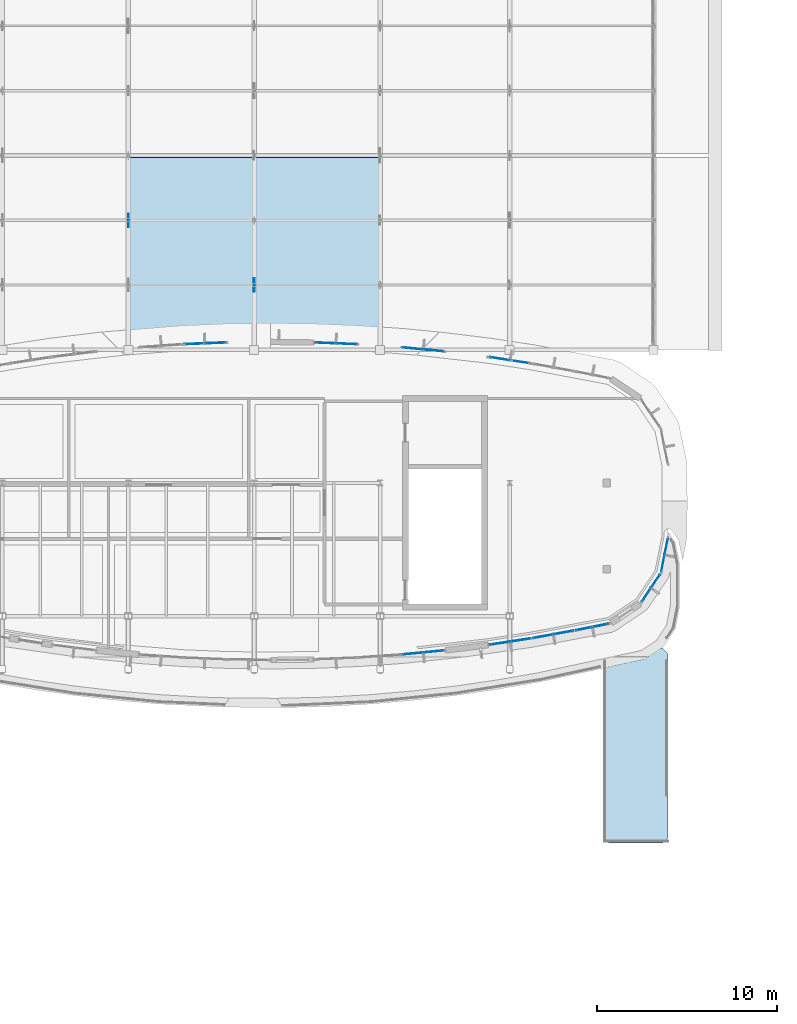
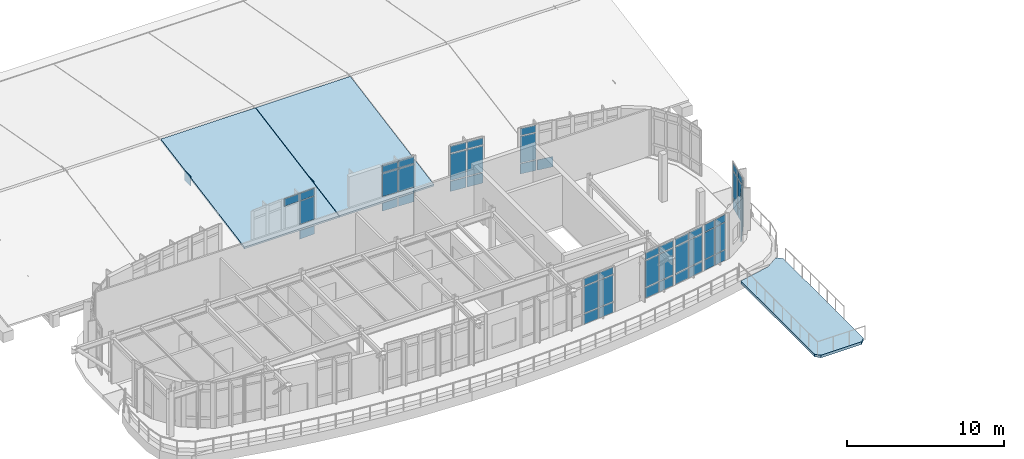
# One storey, part 68 of 105: 58 plates, 3 slabs, 10 elements without a shape of their own.
"""IFC4 building model written with IfcOpenShell, lengths in metres."""

from ifc_helpers import new_model, si_unit, direction, frame, origin, origin_2d, place, context, subcontext, project, spatial, polyline, rectangle, outline, extrude, material, layer, layer_set, type_object, element, aggregate, save


model = new_model("IFC4")

# Units and contexts
model_context = context("Model", 3, precision=1e-05, world=origin(), true_north=direction((0.0, 1.0)))
body_context = subcontext(model_context, "Body", "Model", "MODEL_VIEW")
ifc_project = project(units=[si_unit("LENGTHUNIT", "METRE"), si_unit("AREAUNIT", "SQUARE_METRE"), si_unit("VOLUMEUNIT", "CUBIC_METRE"), si_unit("PLANEANGLEUNIT", "RADIAN"), si_unit("MASSUNIT", "GRAM", prefix="KILO")], contexts=[model_context])

# Site, building, storey
site_placement = place(None, origin())
site = spatial("IfcSite", under=ifc_project, at=site_placement, CompositionType="ELEMENT")
building_placement = place(site_placement, origin())
building = spatial("IfcBuilding", under=site, at=building_placement, Name="Corveleigh Park Community Centre", CompositionType="ELEMENT")
storey_placement = place(building_placement, frame((0.0, 0.0, 8.699951171875)))
storey = spatial("IfcBuildingStorey", under=building, at=storey_placement, Name="L02", CompositionType="ELEMENT", Elevation=8.699951171875)

# Curtain wall, plates
ifc_material_1 = material(Name="Anodised aluminium 6063-T6", Category="aluminium")
curtain_wall_type = type_object("IfcCurtainWallType", Name="CW-SYS-V2-HALL", PredefinedType="NOTDEFINED", material=ifc_material_1)
curtain_wall_1_placement = place(storey_placement, origin())
curtain_wall_1 = element("IfcCurtainWall", 1, at=curtain_wall_1_placement, inside=storey, type_object=curtain_wall_type, Name="V2 L02 Curtain Wall 313", PredefinedType="NOTDEFINED")
ifc_material_2 = material(Name="Low-E double glazing", Category="glass")
ifc_layer_1 = layer(ifc_material_2, 0.02392578125, Name="Low-E double glazing", Category="glass")
ifc_layer_set_1 = layer_set([ifc_layer_1], Name="Low-E double glazing")
plate_type_1 = type_object("IfcPlateType", Name="CWP-GLZ-24", PredefinedType="CURTAIN_PANEL", material=ifc_layer_set_1)
plate_1_placement = place(storey_placement, frame((55.096923828125, 81.8662109375, 0.070068359375), z_axis=(0.0, 0.0, 1.0), x_axis=(-0.195033154312, -0.980796650035, 0.0)))
plate_1 = element("IfcPlate", 2, at=plate_1_placement, type_object=plate_type_1, Name="CW04 panel 1.1", PredefinedType="CURTAIN_PANEL", context=body_context, shape_type="SweptSolid", body=[
    extrude(rectangle(XDim=0.88671875, YDim=0.02392578125, at=origin_2d()), origin(), (0.0, 0.0, 1.0), 0.794921875),
])
plate_2_placement = place(storey_placement, frame((55.096923828125, 81.8662109375, 0.93505859375), z_axis=(0.0, 0.0, 1.0), x_axis=(-0.195033154312, -0.980796650035, 0.0)))
plate_2 = element("IfcPlate", 3, at=plate_2_placement, type_object=plate_type_1, Name="CW04 panel 1.2", PredefinedType="CURTAIN_PANEL", context=body_context, shape_type="SweptSolid", body=[
    extrude(rectangle(XDim=0.88671875, YDim=0.02392578125, at=origin_2d()), origin(), (0.0, 0.0, 1.0), 2.06005859375),
])
plate_3_placement = place(storey_placement, frame((55.096923828125, 81.8662109375, 3.065185546875), z_axis=(0.0, 0.0, 1.0), x_axis=(-0.195033154312, -0.980796650035, 0.0)))
plate_3 = element("IfcPlate", 4, at=plate_3_placement, type_object=plate_type_1, Name="CW04 panel 1.3", PredefinedType="CURTAIN_PANEL", context=body_context, shape_type="SweptSolid", body=[
    extrude(rectangle(XDim=0.88671875, YDim=0.02392578125, at=origin_2d()), origin(), (0.0, 0.0, 1.0), 0.544921875),
])
plate_4_placement = place(storey_placement, frame((54.912109375, 80.937744140625, 0.070068359375), z_axis=(0.0, 0.0, 1.0), x_axis=(-0.195033154312, -0.980796650035, 0.0)))
plate_4 = element("IfcPlate", 5, at=plate_4_placement, type_object=plate_type_1, Name="CW04 panel 2.1", PredefinedType="CURTAIN_PANEL", context=body_context, shape_type="SweptSolid", body=[
    extrude(rectangle(XDim=0.88671875, YDim=0.02392578125, at=origin_2d()), origin(), (0.0, 0.0, 1.0), 0.794921875),
])
plate_5_placement = place(storey_placement, frame((54.912109375, 80.937744140625, 0.93505859375), z_axis=(0.0, 0.0, 1.0), x_axis=(-0.195033154312, -0.980796650035, 0.0)))
plate_5 = element("IfcPlate", 6, at=plate_5_placement, type_object=plate_type_1, Name="CW04 panel 2.2", PredefinedType="CURTAIN_PANEL", context=body_context, shape_type="SweptSolid", body=[
    extrude(rectangle(XDim=0.88671875, YDim=0.02392578125, at=origin_2d()), origin(), (0.0, 0.0, 1.0), 2.06005859375),
])
plate_6_placement = place(storey_placement, frame((54.912109375, 80.937744140625, 3.065185546875), z_axis=(0.0, 0.0, 1.0), x_axis=(-0.195033154312, -0.980796650035, 0.0)))
plate_6 = element("IfcPlate", 7, at=plate_6_placement, type_object=plate_type_1, Name="CW04 panel 2.3", PredefinedType="CURTAIN_PANEL", context=body_context, shape_type="SweptSolid", body=[
    extrude(rectangle(XDim=0.88671875, YDim=0.02392578125, at=origin_2d()), origin(), (0.0, 0.0, 1.0), 0.544921875),
])
aggregate(curtain_wall_1, [plate_1, plate_2, plate_3, plate_4, plate_5, plate_6])

curtain_wall_2_placement = place(storey_placement, origin())
curtain_wall_2 = element("IfcCurtainWall", 8, at=curtain_wall_2_placement, inside=storey, type_object=curtain_wall_type, Name="V2 L02 Curtain Wall 318", PredefinedType="NOTDEFINED")
ifc_layer_2 = layer(ifc_material_2, 0.031982421875, Name="Low-E double glazing", Category="glass")
ifc_layer_set_2 = layer_set([ifc_layer_2], Name="Low-E double glazing")
plate_type_2 = type_object("IfcPlateType", Name="CWP-GLZ-32", PredefinedType="CURTAIN_PANEL", material=ifc_layer_set_2)
plate_7_placement = place(storey_placement, frame((45.84619140625, 92.306396484375, 0.070068359375), z_axis=(0.0, 0.0, 1.0), x_axis=(0.988429120967, -0.151683462597, 0.0)))
plate_7 = element("IfcPlate", 9, at=plate_7_placement, type_object=plate_type_2, Name="CW04 panel 1.1", PredefinedType="CURTAIN_PANEL", context=body_context, shape_type="SweptSolid", body=[
    extrude(rectangle(XDim=1.078857421875, YDim=0.031982421875, at=origin_2d()), origin(), (0.0, 0.0, 1.0), 0.794921875),
])
plate_8_placement = place(storey_placement, frame((45.84619140625, 92.306396484375, 0.93505859375), z_axis=(0.0, 0.0, 1.0), x_axis=(0.988429120967, -0.151683462597, 0.0)))
plate_8 = element("IfcPlate", 10, at=plate_8_placement, type_object=plate_type_2, Name="CW04 panel 1.2", PredefinedType="CURTAIN_PANEL", context=body_context, shape_type="SweptSolid", body=[
    extrude(rectangle(XDim=1.078857421875, YDim=0.031982421875, at=origin_2d()), origin(), (0.0, 0.0, 1.0), 2.06005859375),
])
plate_9_placement = place(storey_placement, frame((45.84619140625, 92.306396484375, 3.065185546875), z_axis=(0.0, 0.0, 1.0), x_axis=(0.988429120967, -0.151683462597, 0.0)))
plate_9 = element("IfcPlate", 11, at=plate_9_placement, type_object=plate_type_2, Name="CW04 panel 1.3", PredefinedType="CURTAIN_PANEL", context=body_context, shape_type="SweptSolid", body=[
    extrude(rectangle(XDim=1.078857421875, YDim=0.031982421875, at=origin_2d()), origin(), (0.0, 0.0, 1.0), 0.544921875),
])
plate_10_placement = place(storey_placement, frame((46.996826171875, 92.129638671875, 0.070068359375), z_axis=(0.0, 0.0, 1.0), x_axis=(0.988429120967, -0.151683462597, 0.0)))
plate_10 = element("IfcPlate", 12, at=plate_10_placement, type_object=plate_type_2, Name="CW04 panel 2.1", PredefinedType="CURTAIN_PANEL", context=body_context, shape_type="SweptSolid", body=[
    extrude(rectangle(XDim=1.078857421875, YDim=0.031982421875, at=origin_2d()), origin(), (0.0, 0.0, 1.0), 0.794921875),
])
aggregate(curtain_wall_2, [plate_7, plate_8, plate_9, plate_10])

curtain_wall_3_placement = place(storey_placement, origin())
curtain_wall_3 = element("IfcCurtainWall", 13, at=curtain_wall_3_placement, inside=storey, type_object=curtain_wall_type, Name="V2 L02 Curtain Wall 308", PredefinedType="NOTDEFINED")
ifc_layer_3 = layer(ifc_material_2, 0.035888671875, Name="Low-E double glazing", Category="glass")
ifc_layer_set_3 = layer_set([ifc_layer_3], Name="Low-E double glazing")
plate_type_3 = type_object("IfcPlateType", Name="CWP-GLZ-36", PredefinedType="CURTAIN_PANEL", material=ifc_layer_set_3)
plate_11_placement = place(storey_placement, frame((42.181396484375, 76.035400390625, 0.070068359375), z_axis=(0.0, 0.0, 1.0), x_axis=(-0.995367939004, -0.096138785108, 0.0)))
plate_11 = element("IfcPlate", 14, at=plate_11_placement, type_object=plate_type_3, Name="CW04 panel 1.1", PredefinedType="CURTAIN_PANEL", context=body_context, shape_type="SweptSolid", body=[
    extrude(rectangle(XDim=1.109130859375, YDim=0.035888671875, at=origin_2d()), origin(), (0.0, 0.0, 1.0), 0.794921875),
])
plate_12_placement = place(storey_placement, frame((42.181396484375, 76.035400390625, 0.93505859375), z_axis=(0.0, 0.0, 1.0), x_axis=(-0.995367939004, -0.096138785108, 0.0)))
plate_12 = element("IfcPlate", 15, at=plate_12_placement, type_object=plate_type_3, Name="CW04 panel 1.2", PredefinedType="CURTAIN_PANEL", context=body_context, shape_type="SweptSolid", body=[
    extrude(rectangle(XDim=1.109130859375, YDim=0.035888671875, at=origin_2d()), origin(), (0.0, 0.0, 1.0), 2.06005859375),
])
plate_13_placement = place(storey_placement, frame((42.181396484375, 76.035400390625, 3.065185546875), z_axis=(0.0, 0.0, 1.0), x_axis=(-0.995367939004, -0.096138785108, 0.0)))
plate_13 = element("IfcPlate", 16, at=plate_13_placement, type_object=plate_type_3, Name="CW04 panel 1.3", PredefinedType="CURTAIN_PANEL", context=body_context, shape_type="SweptSolid", body=[
    extrude(rectangle(XDim=1.109130859375, YDim=0.035888671875, at=origin_2d()), origin(), (0.0, 0.0, 1.0), 0.544921875),
])
plate_14_placement = place(storey_placement, frame((41.0126953125, 75.922607421875, 0.070068359375), z_axis=(0.0, 0.0, 1.0), x_axis=(-0.995367939004, -0.096138785108, 0.0)))
plate_14 = element("IfcPlate", 17, at=plate_14_placement, type_object=plate_type_3, Name="CW04 panel 2.1", PredefinedType="CURTAIN_PANEL", context=body_context, shape_type="SweptSolid", body=[
    extrude(rectangle(XDim=1.109130859375, YDim=0.035888671875, at=origin_2d()), origin(), (0.0, 0.0, 1.0), 0.794921875),
])
plate_15_placement = place(storey_placement, frame((41.0126953125, 75.922607421875, 0.93505859375), z_axis=(0.0, 0.0, 1.0), x_axis=(-0.995367939004, -0.096138785108, 0.0)))
plate_15 = element("IfcPlate", 18, at=plate_15_placement, type_object=plate_type_3, Name="CW04 panel 2.2", PredefinedType="CURTAIN_PANEL", context=body_context, shape_type="SweptSolid", body=[
    extrude(rectangle(XDim=1.109130859375, YDim=0.035888671875, at=origin_2d()), origin(), (0.0, 0.0, 1.0), 2.06005859375),
])
plate_16_placement = place(storey_placement, frame((41.0126953125, 75.922607421875, 3.065185546875), z_axis=(0.0, 0.0, 1.0), x_axis=(-0.995367939004, -0.096138785108, 0.0)))
plate_16 = element("IfcPlate", 19, at=plate_16_placement, type_object=plate_type_3, Name="CW04 panel 2.3", PredefinedType="CURTAIN_PANEL", context=body_context, shape_type="SweptSolid", body=[
    extrude(rectangle(XDim=1.109130859375, YDim=0.035888671875, at=origin_2d()), origin(), (0.0, 0.0, 1.0), 0.544921875),
])
aggregate(curtain_wall_3, [plate_11, plate_12, plate_13, plate_14, plate_15, plate_16])

curtain_wall_4_placement = place(storey_placement, origin())
curtain_wall_4 = element("IfcCurtainWall", 20, at=curtain_wall_4_placement, inside=storey, type_object=curtain_wall_type, Name="V2 L02 Curtain Wall 319", PredefinedType="NOTDEFINED")
plate_17_placement = place(storey_placement, frame((41.011474609375, 92.87744140625, 0.074951171875), z_axis=(0.0, 0.0, 1.0), x_axis=(0.995367939004, -0.096138785108, 0.0)))
plate_17 = element("IfcPlate", 21, at=plate_17_placement, type_object=plate_type_3, Name="CW04 panel 1.1", PredefinedType="CURTAIN_PANEL", context=body_context, shape_type="SweptSolid", body=[
    extrude(rectangle(XDim=1.11669921875, YDim=0.035888671875, at=origin_2d()), origin(), (0.0, 0.0, 1.0), 0.78759765625),
])
plate_18_placement = place(storey_placement, frame((41.011474609375, 92.87744140625, 0.9375), z_axis=(0.0, 0.0, 1.0), x_axis=(0.995367939004, -0.096138785108, 0.0)))
plate_18 = element("IfcPlate", 22, at=plate_18_placement, type_object=plate_type_3, Name="CW04 panel 1.2", PredefinedType="CURTAIN_PANEL", context=body_context, shape_type="SweptSolid", body=[
    extrude(rectangle(XDim=1.11669921875, YDim=0.035888671875, at=origin_2d()), origin(), (0.0, 0.0, 1.0), 2.054931640625),
])
plate_19_placement = place(storey_placement, frame((41.011474609375, 92.87744140625, 3.0673828125), z_axis=(0.0, 0.0, 1.0), x_axis=(0.995367939004, -0.096138785108, 0.0)))
plate_19 = element("IfcPlate", 23, at=plate_19_placement, type_object=plate_type_3, Name="CW04 panel 1.3", PredefinedType="CURTAIN_PANEL", context=body_context, shape_type="SweptSolid", body=[
    extrude(rectangle(XDim=1.11669921875, YDim=0.035888671875, at=origin_2d()), origin(), (0.0, 0.0, 1.0), 0.53759765625),
])
plate_20_placement = place(storey_placement, frame((42.1826171875, 92.764404296875, 0.074951171875), z_axis=(0.0, 0.0, 1.0), x_axis=(0.995367939004, -0.096138785108, 0.0)))
plate_20 = element("IfcPlate", 24, at=plate_20_placement, type_object=plate_type_3, Name="CW04 panel 2.1", PredefinedType="CURTAIN_PANEL", context=body_context, shape_type="SweptSolid", body=[
    extrude(rectangle(XDim=1.11669921875, YDim=0.035888671875, at=origin_2d()), origin(), (0.0, 0.0, 1.0), 0.78759765625),
])
plate_21_placement = place(storey_placement, frame((42.1826171875, 92.764404296875, 0.9375), z_axis=(0.0, 0.0, 1.0), x_axis=(0.995367939004, -0.096138785108, 0.0)))
plate_21 = element("IfcPlate", 25, at=plate_21_placement, type_object=plate_type_3, Name="CW04 panel 2.2", PredefinedType="CURTAIN_PANEL", context=body_context, shape_type="SweptSolid", body=[
    extrude(rectangle(XDim=1.11669921875, YDim=0.035888671875, at=origin_2d()), origin(), (0.0, 0.0, 1.0), 2.054931640625),
])
plate_22_placement = place(storey_placement, frame((42.1826171875, 92.764404296875, 3.0673828125), z_axis=(0.0, 0.0, 1.0), x_axis=(0.995367939004, -0.096138785108, 0.0)))
plate_22 = element("IfcPlate", 26, at=plate_22_placement, type_object=plate_type_3, Name="CW04 panel 2.3", PredefinedType="CURTAIN_PANEL", context=body_context, shape_type="SweptSolid", body=[
    extrude(rectangle(XDim=1.11669921875, YDim=0.035888671875, at=origin_2d()), origin(), (0.0, 0.0, 1.0), 0.53759765625),
])
aggregate(curtain_wall_4, [plate_17, plate_18, plate_19, plate_20, plate_21, plate_22])

curtain_wall_5_placement = place(storey_placement, origin())
curtain_wall_5 = element("IfcCurtainWall", 27, at=curtain_wall_5_placement, inside=storey, type_object=curtain_wall_type, Name="V2 L02 Curtain Wall 320", PredefinedType="NOTDEFINED")
plate_23_placement = place(storey_placement, frame((36.1591796875, 93.18115234375, 0.080078125), z_axis=(0.0, 0.0, 1.0), x_axis=(0.99912443685, -0.041837300215, 0.0)))
plate_23 = element("IfcPlate", 28, at=plate_23_placement, type_object=plate_type_3, Name="CW04 panel 1.1", PredefinedType="CURTAIN_PANEL", context=body_context, shape_type="SweptSolid", body=[
    extrude(rectangle(XDim=1.109619140625, YDim=0.035888671875, at=origin_2d()), origin(), (0.0, 0.0, 1.0), 0.780029296875),
])
plate_24_placement = place(storey_placement, frame((36.1591796875, 93.18115234375, 0.93994140625), z_axis=(0.0, 0.0, 1.0), x_axis=(0.99912443685, -0.041837300215, 0.0)))
plate_24 = element("IfcPlate", 29, at=plate_24_placement, type_object=plate_type_3, Name="CW04 panel 1.2", PredefinedType="CURTAIN_PANEL", context=body_context, shape_type="SweptSolid", body=[
    extrude(rectangle(XDim=1.109619140625, YDim=0.035888671875, at=origin_2d()), origin(), (0.0, 0.0, 1.0), 2.050048828125),
])
plate_25_placement = place(storey_placement, frame((36.1591796875, 93.18115234375, 3.06982421875), z_axis=(0.0, 0.0, 1.0), x_axis=(0.99912443685, -0.041837300215, 0.0)))
plate_25 = element("IfcPlate", 30, at=plate_25_placement, type_object=plate_type_3, Name="CW04 panel 1.3", PredefinedType="CURTAIN_PANEL", context=body_context, shape_type="SweptSolid", body=[
    extrude(rectangle(XDim=1.109619140625, YDim=0.035888671875, at=origin_2d()), origin(), (0.0, 0.0, 1.0), 0.530029296875),
])
plate_26_placement = place(storey_placement, frame((37.332763671875, 93.1318359375, 0.080078125), z_axis=(0.0, 0.0, 1.0), x_axis=(0.99912443685, -0.041837300215, 0.0)))
plate_26 = element("IfcPlate", 31, at=plate_26_placement, type_object=plate_type_3, Name="CW04 panel 2.1", PredefinedType="CURTAIN_PANEL", context=body_context, shape_type="SweptSolid", body=[
    extrude(rectangle(XDim=1.109619140625, YDim=0.035888671875, at=origin_2d()), origin(), (0.0, 0.0, 1.0), 0.780029296875),
])
plate_27_placement = place(storey_placement, frame((37.332763671875, 93.1318359375, 0.93994140625), z_axis=(0.0, 0.0, 1.0), x_axis=(0.99912443685, -0.041837300215, 0.0)))
plate_27 = element("IfcPlate", 32, at=plate_27_placement, type_object=plate_type_3, Name="CW04 panel 2.2", PredefinedType="CURTAIN_PANEL", context=body_context, shape_type="SweptSolid", body=[
    extrude(rectangle(XDim=1.109619140625, YDim=0.035888671875, at=origin_2d()), origin(), (0.0, 0.0, 1.0), 2.050048828125),
])
plate_28_placement = place(storey_placement, frame((37.332763671875, 93.1318359375, 3.06982421875), z_axis=(0.0, 0.0, 1.0), x_axis=(0.99912443685, -0.041837300215, 0.0)))
plate_28 = element("IfcPlate", 33, at=plate_28_placement, type_object=plate_type_3, Name="CW04 panel 2.3", PredefinedType="CURTAIN_PANEL", context=body_context, shape_type="SweptSolid", body=[
    extrude(rectangle(XDim=1.109619140625, YDim=0.035888671875, at=origin_2d()), origin(), (0.0, 0.0, 1.0), 0.530029296875),
])
aggregate(curtain_wall_5, [plate_23, plate_24, plate_25, plate_26, plate_27, plate_28])

curtain_wall_6_placement = place(storey_placement, origin())
curtain_wall_6 = element("IfcCurtainWall", 34, at=curtain_wall_6_placement, inside=storey, type_object=curtain_wall_type, Name="V2 L02 Curtain Wall 309", PredefinedType="NOTDEFINED")
ifc_layer_4 = layer(ifc_material_2, 0.0400390625, Name="Low-E double glazing", Category="glass")
ifc_layer_set_4 = layer_set([ifc_layer_4], Name="Low-E double glazing")
plate_type_4 = type_object("IfcPlateType", Name="CWP-GLZ-40", PredefinedType="CURTAIN_PANEL", material=ifc_layer_set_4)
plate_29_placement = place(storey_placement, frame((47.00048828125, 76.6708984375, 0.074951171875), z_axis=(0.0, 0.0, 1.0), x_axis=(-0.988429120967, -0.151683462597, 0.0)))
plate_29 = element("IfcPlate", 35, at=plate_29_placement, type_object=plate_type_4, Name="CW04 panel 1.1", PredefinedType="CURTAIN_PANEL", context=body_context, shape_type="SweptSolid", body=[
    extrude(rectangle(XDim=1.1015625, YDim=0.0400390625, at=origin_2d()), origin(), (0.0, 0.0, 1.0), 0.78759765625),
])
plate_30_placement = place(storey_placement, frame((47.00048828125, 76.6708984375, 0.9375), z_axis=(0.0, 0.0, 1.0), x_axis=(-0.988429120967, -0.151683462597, 0.0)))
plate_30 = element("IfcPlate", 36, at=plate_30_placement, type_object=plate_type_4, Name="CW04 panel 1.2", PredefinedType="CURTAIN_PANEL", context=body_context, shape_type="SweptSolid", body=[
    extrude(rectangle(XDim=1.1015625, YDim=0.0400390625, at=origin_2d()), origin(), (0.0, 0.0, 1.0), 2.054931640625),
])
plate_31_placement = place(storey_placement, frame((47.00048828125, 76.6708984375, 3.0673828125), z_axis=(0.0, 0.0, 1.0), x_axis=(-0.988429120967, -0.151683462597, 0.0)))
plate_31 = element("IfcPlate", 37, at=plate_31_placement, type_object=plate_type_4, Name="CW04 panel 1.3", PredefinedType="CURTAIN_PANEL", context=body_context, shape_type="SweptSolid", body=[
    extrude(rectangle(XDim=1.1015625, YDim=0.0400390625, at=origin_2d()), origin(), (0.0, 0.0, 1.0), 0.53759765625),
])
plate_32_placement = place(storey_placement, frame((45.842529296875, 76.4931640625, 0.074951171875), z_axis=(0.0, 0.0, 1.0), x_axis=(-0.988429120967, -0.151683462597, 0.0)))
plate_32 = element("IfcPlate", 38, at=plate_32_placement, type_object=plate_type_4, Name="CW04 panel 2.1", PredefinedType="CURTAIN_PANEL", context=body_context, shape_type="SweptSolid", body=[
    extrude(rectangle(XDim=1.1015625, YDim=0.0400390625, at=origin_2d()), origin(), (0.0, 0.0, 1.0), 0.78759765625),
])
plate_33_placement = place(storey_placement, frame((45.842529296875, 76.4931640625, 0.9375), z_axis=(0.0, 0.0, 1.0), x_axis=(-0.988429120967, -0.151683462597, 0.0)))
plate_33 = element("IfcPlate", 39, at=plate_33_placement, type_object=plate_type_4, Name="CW04 panel 2.2", PredefinedType="CURTAIN_PANEL", context=body_context, shape_type="SweptSolid", body=[
    extrude(rectangle(XDim=1.1015625, YDim=0.0400390625, at=origin_2d()), origin(), (0.0, 0.0, 1.0), 2.054931640625),
])
plate_34_placement = place(storey_placement, frame((45.842529296875, 76.4931640625, 3.0673828125), z_axis=(0.0, 0.0, 1.0), x_axis=(-0.988429120967, -0.151683462597, 0.0)))
plate_34 = element("IfcPlate", 40, at=plate_34_placement, type_object=plate_type_4, Name="CW04 panel 2.3", PredefinedType="CURTAIN_PANEL", context=body_context, shape_type="SweptSolid", body=[
    extrude(rectangle(XDim=1.1015625, YDim=0.0400390625, at=origin_2d()), origin(), (0.0, 0.0, 1.0), 0.53759765625),
])
aggregate(curtain_wall_6, [plate_29, plate_30, plate_31, plate_32, plate_33, plate_34])

curtain_wall_7_placement = place(storey_placement, origin())
curtain_wall_7 = element("IfcCurtainWall", 41, at=curtain_wall_7_placement, inside=storey, type_object=curtain_wall_type, Name="V2 L02 Curtain Wall 310", PredefinedType="NOTDEFINED")
plate_35_placement = place(storey_placement, frame((49.3955078125, 77.087890625, 0.080078125), z_axis=(0.0, 0.0, 1.0), x_axis=(-0.983942713081, -0.178484557805, 0.0)))
plate_35 = element("IfcPlate", 42, at=plate_35_placement, type_object=plate_type_4, Name="CW04 panel 1.1", PredefinedType="CURTAIN_PANEL", context=body_context, shape_type="SweptSolid", body=[
    extrude(rectangle(XDim=1.094970703125, YDim=0.0400390625, at=origin_2d()), origin(), (0.0, 0.0, 1.0), 0.780029296875),
])
plate_36_placement = place(storey_placement, frame((49.3955078125, 77.087890625, 0.93994140625), z_axis=(0.0, 0.0, 1.0), x_axis=(-0.983942713081, -0.178484557805, 0.0)))
plate_36 = element("IfcPlate", 43, at=plate_36_placement, type_object=plate_type_4, Name="CW04 panel 1.2", PredefinedType="CURTAIN_PANEL", context=body_context, shape_type="SweptSolid", body=[
    extrude(rectangle(XDim=1.094970703125, YDim=0.0400390625, at=origin_2d()), origin(), (0.0, 0.0, 1.0), 2.050048828125),
])
plate_37_placement = place(storey_placement, frame((49.3955078125, 77.087890625, 3.06982421875), z_axis=(0.0, 0.0, 1.0), x_axis=(-0.983942713081, -0.178484557805, 0.0)))
plate_37 = element("IfcPlate", 44, at=plate_37_placement, type_object=plate_type_4, Name="CW04 panel 1.3", PredefinedType="CURTAIN_PANEL", context=body_context, shape_type="SweptSolid", body=[
    extrude(rectangle(XDim=1.094970703125, YDim=0.0400390625, at=origin_2d()), origin(), (0.0, 0.0, 1.0), 0.530029296875),
])
plate_38_placement = place(storey_placement, frame((48.244384765625, 76.879150390625, 0.080078125), z_axis=(0.0, 0.0, 1.0), x_axis=(-0.983942713081, -0.178484557805, 0.0)))
plate_38 = element("IfcPlate", 45, at=plate_38_placement, type_object=plate_type_4, Name="CW04 panel 2.1", PredefinedType="CURTAIN_PANEL", context=body_context, shape_type="SweptSolid", body=[
    extrude(rectangle(XDim=1.094970703125, YDim=0.0400390625, at=origin_2d()), origin(), (0.0, 0.0, 1.0), 0.780029296875),
])
plate_39_placement = place(storey_placement, frame((48.244384765625, 76.879150390625, 0.93994140625), z_axis=(0.0, 0.0, 1.0), x_axis=(-0.983942713081, -0.178484557805, 0.0)))
plate_39 = element("IfcPlate", 46, at=plate_39_placement, type_object=plate_type_4, Name="CW04 panel 2.2", PredefinedType="CURTAIN_PANEL", context=body_context, shape_type="SweptSolid", body=[
    extrude(rectangle(XDim=1.094970703125, YDim=0.0400390625, at=origin_2d()), origin(), (0.0, 0.0, 1.0), 2.050048828125),
])
plate_40_placement = place(storey_placement, frame((48.244384765625, 76.879150390625, 3.06982421875), z_axis=(0.0, 0.0, 1.0), x_axis=(-0.983942713081, -0.178484557805, 0.0)))
plate_40 = element("IfcPlate", 47, at=plate_40_placement, type_object=plate_type_4, Name="CW04 panel 2.3", PredefinedType="CURTAIN_PANEL", context=body_context, shape_type="SweptSolid", body=[
    extrude(rectangle(XDim=1.094970703125, YDim=0.0400390625, at=origin_2d()), origin(), (0.0, 0.0, 1.0), 0.530029296875),
])
aggregate(curtain_wall_7, [plate_35, plate_36, plate_37, plate_38, plate_39, plate_40])

curtain_wall_8_placement = place(storey_placement, origin())
curtain_wall_8 = element("IfcCurtainWall", 48, at=curtain_wall_8_placement, inside=storey, type_object=curtain_wall_type, Name="V2 L02 Curtain Wall 321", PredefinedType="NOTDEFINED")
plate_41_placement = place(storey_placement, frame((28.868408203125, 93.132080078125, 3.06005859375), z_axis=(0.0, 0.0, 1.0), x_axis=(0.99912443685, 0.041837300215, 0.0)))
plate_41 = element("IfcPlate", 49, at=plate_41_placement, type_object=plate_type_4, Name="CW04 panel 1.3", PredefinedType="CURTAIN_PANEL", context=body_context, shape_type="SweptSolid", body=[
    extrude(rectangle(XDim=1.10205078125, YDim=0.0400390625, at=origin_2d()), origin(), (0.0, 0.0, 1.0), 0.56005859375),
])
plate_42_placement = place(storey_placement, frame((30.03955078125, 93.180908203125, 0.06005859375), z_axis=(0.0, 0.0, 1.0), x_axis=(0.99912443685, 0.041837300215, 0.0)))
plate_42 = element("IfcPlate", 50, at=plate_42_placement, type_object=plate_type_4, Name="CW04 panel 2.1", PredefinedType="CURTAIN_PANEL", context=body_context, shape_type="SweptSolid", body=[
    extrude(rectangle(XDim=1.10205078125, YDim=0.0400390625, at=origin_2d()), origin(), (0.0, 0.0, 1.0), 0.81005859375),
])
plate_43_placement = place(storey_placement, frame((30.03955078125, 93.180908203125, 0.93017578125), z_axis=(0.0, 0.0, 1.0), x_axis=(0.99912443685, 0.041837300215, 0.0)))
plate_43 = element("IfcPlate", 51, at=plate_43_placement, type_object=plate_type_4, Name="CW04 panel 2.2", PredefinedType="CURTAIN_PANEL", context=body_context, shape_type="SweptSolid", body=[
    extrude(rectangle(XDim=1.10205078125, YDim=0.0400390625, at=origin_2d()), origin(), (0.0, 0.0, 1.0), 2.070068359375),
])
plate_44_placement = place(storey_placement, frame((30.03955078125, 93.180908203125, 3.06005859375), z_axis=(0.0, 0.0, 1.0), x_axis=(0.99912443685, 0.041837300215, 0.0)))
plate_44 = element("IfcPlate", 52, at=plate_44_placement, type_object=plate_type_4, Name="CW04 panel 2.3", PredefinedType="CURTAIN_PANEL", context=body_context, shape_type="SweptSolid", body=[
    extrude(rectangle(XDim=1.10205078125, YDim=0.0400390625, at=origin_2d()), origin(), (0.0, 0.0, 1.0), 0.56005859375),
])
aggregate(curtain_wall_8, [plate_41, plate_42, plate_43, plate_44])

curtain_wall_9_placement = place(storey_placement, origin())
curtain_wall_9 = element("IfcCurtainWall", 53, at=curtain_wall_9_placement, inside=storey, type_object=curtain_wall_type, Name="V2 L02 Curtain Wall 311", PredefinedType="NOTDEFINED")
ifc_layer_5 = layer(ifc_material_2, 0.0439453125, Name="Low-E double glazing", Category="glass")
ifc_layer_set_5 = layer_set([ifc_layer_5], Name="Low-E double glazing")
plate_type_5 = type_object("IfcPlateType", Name="CWP-GLZ-44", PredefinedType="CURTAIN_PANEL", material=ifc_layer_set_5)
plate_45_placement = place(storey_placement, frame((51.453369140625, 77.486083984375, 0.06005859375), z_axis=(0.0, 0.0, 1.0), x_axis=(-0.980814284082, -0.194944453986, 0.0)))
plate_45 = element("IfcPlate", 54, at=plate_45_placement, type_object=plate_type_5, Name="CW04 panel 1.1", PredefinedType="CURTAIN_PANEL", context=body_context, shape_type="SweptSolid", body=[
    extrude(rectangle(XDim=0.864990234375, YDim=0.0439453125, at=origin_2d()), origin(), (0.0, 0.0, 1.0), 0.81005859375),
])
plate_46_placement = place(storey_placement, frame((51.453369140625, 77.486083984375, 0.93017578125), z_axis=(0.0, 0.0, 1.0), x_axis=(-0.980814284082, -0.194944453986, 0.0)))
plate_46 = element("IfcPlate", 55, at=plate_46_placement, type_object=plate_type_5, Name="CW04 panel 1.2", PredefinedType="CURTAIN_PANEL", context=body_context, shape_type="SweptSolid", body=[
    extrude(rectangle(XDim=0.864990234375, YDim=0.0439453125, at=origin_2d()), origin(), (0.0, 0.0, 1.0), 2.070068359375),
])
plate_47_placement = place(storey_placement, frame((51.453369140625, 77.486083984375, 3.06005859375), z_axis=(0.0, 0.0, 1.0), x_axis=(-0.980814284082, -0.194944453986, 0.0)))
plate_47 = element("IfcPlate", 56, at=plate_47_placement, type_object=plate_type_5, Name="CW04 panel 1.3", PredefinedType="CURTAIN_PANEL", context=body_context, shape_type="SweptSolid", body=[
    extrude(rectangle(XDim=0.864990234375, YDim=0.0439453125, at=origin_2d()), origin(), (0.0, 0.0, 1.0), 0.56005859375),
])
plate_48_placement = place(storey_placement, frame((50.526611328125, 77.302001953125, 0.06005859375), z_axis=(0.0, 0.0, 1.0), x_axis=(-0.980814284082, -0.194944453986, 0.0)))
plate_48 = element("IfcPlate", 57, at=plate_48_placement, type_object=plate_type_5, Name="CW04 panel 2.1", PredefinedType="CURTAIN_PANEL", context=body_context, shape_type="SweptSolid", body=[
    extrude(rectangle(XDim=0.864990234375, YDim=0.0439453125, at=origin_2d()), origin(), (0.0, 0.0, 1.0), 0.81005859375),
])
plate_49_placement = place(storey_placement, frame((50.526611328125, 77.302001953125, 0.93017578125), z_axis=(0.0, 0.0, 1.0), x_axis=(-0.980814284082, -0.194944453986, 0.0)))
plate_49 = element("IfcPlate", 58, at=plate_49_placement, type_object=plate_type_5, Name="CW04 panel 2.2", PredefinedType="CURTAIN_PANEL", context=body_context, shape_type="SweptSolid", body=[
    extrude(rectangle(XDim=0.864990234375, YDim=0.0439453125, at=origin_2d()), origin(), (0.0, 0.0, 1.0), 2.070068359375),
])
plate_50_placement = place(storey_placement, frame((50.526611328125, 77.302001953125, 3.06005859375), z_axis=(0.0, 0.0, 1.0), x_axis=(-0.980814284082, -0.194944453986, 0.0)))
plate_50 = element("IfcPlate", 59, at=plate_50_placement, type_object=plate_type_5, Name="CW04 panel 2.3", PredefinedType="CURTAIN_PANEL", context=body_context, shape_type="SweptSolid", body=[
    extrude(rectangle(XDim=0.864990234375, YDim=0.0439453125, at=origin_2d()), origin(), (0.0, 0.0, 1.0), 0.56005859375),
])
aggregate(curtain_wall_9, [plate_45, plate_46, plate_47, plate_48, plate_49, plate_50])

curtain_wall_10_placement = place(storey_placement, origin())
curtain_wall_10 = element("IfcCurtainWall", 60, at=curtain_wall_10_placement, inside=storey, type_object=curtain_wall_type, Name="V2 L02 Curtain Wall 312", PredefinedType="NOTDEFINED")
plate_51_placement = place(storey_placement, frame((54.5, 79.943359375, 0.06494140625), z_axis=(0.0, 0.0, 1.0), x_axis=(-0.555058272633, -0.831811465407, 0.0)))
plate_51 = element("IfcPlate", 61, at=plate_51_placement, type_object=plate_type_5, Name="CW04 panel 1.1", PredefinedType="CURTAIN_PANEL", context=body_context, shape_type="SweptSolid", body=[
    extrude(rectangle(XDim=0.839111328125, YDim=0.0439453125, at=origin_2d()), origin(), (0.0, 0.0, 1.0), 0.802490234375),
])
plate_52_placement = place(storey_placement, frame((54.5, 79.943359375, 0.9326171875), z_axis=(0.0, 0.0, 1.0), x_axis=(-0.555058272633, -0.831811465407, 0.0)))
plate_52 = element("IfcPlate", 62, at=plate_52_placement, type_object=plate_type_5, Name="CW04 panel 1.2", PredefinedType="CURTAIN_PANEL", context=body_context, shape_type="SweptSolid", body=[
    extrude(rectangle(XDim=0.839111328125, YDim=0.0439453125, at=origin_2d()), origin(), (0.0, 0.0, 1.0), 2.06494140625),
])
plate_53_placement = place(storey_placement, frame((54.5, 79.943359375, 3.0625), z_axis=(0.0, 0.0, 1.0), x_axis=(-0.555058272633, -0.831811465407, 0.0)))
plate_53 = element("IfcPlate", 63, at=plate_53_placement, type_object=plate_type_5, Name="CW04 panel 1.3", PredefinedType="CURTAIN_PANEL", context=body_context, shape_type="SweptSolid", body=[
    extrude(rectangle(XDim=0.839111328125, YDim=0.0439453125, at=origin_2d()), origin(), (0.0, 0.0, 1.0), 0.552490234375),
])
plate_54_placement = place(storey_placement, frame((53.987060546875, 79.174560546875, 0.06494140625), z_axis=(0.0, 0.0, 1.0), x_axis=(-0.555058272633, -0.831811465407, 0.0)))
plate_54 = element("IfcPlate", 64, at=plate_54_placement, type_object=plate_type_5, Name="CW04 panel 2.1", PredefinedType="CURTAIN_PANEL", context=body_context, shape_type="SweptSolid", body=[
    extrude(rectangle(XDim=0.839111328125, YDim=0.0439453125, at=origin_2d()), origin(), (0.0, 0.0, 1.0), 0.802490234375),
])
plate_55_placement = place(storey_placement, frame((53.987060546875, 79.174560546875, 0.9326171875), z_axis=(0.0, 0.0, 1.0), x_axis=(-0.555058272633, -0.831811465407, 0.0)))
plate_55 = element("IfcPlate", 65, at=plate_55_placement, type_object=plate_type_5, Name="CW04 panel 2.2", PredefinedType="CURTAIN_PANEL", context=body_context, shape_type="SweptSolid", body=[
    extrude(rectangle(XDim=0.839111328125, YDim=0.0439453125, at=origin_2d()), origin(), (0.0, 0.0, 1.0), 2.06494140625),
])
plate_56_placement = place(storey_placement, frame((53.987060546875, 79.174560546875, 3.0625), z_axis=(0.0, 0.0, 1.0), x_axis=(-0.555058272633, -0.831811465407, 0.0)))
plate_56 = element("IfcPlate", 66, at=plate_56_placement, type_object=plate_type_5, Name="CW04 panel 2.3", PredefinedType="CURTAIN_PANEL", context=body_context, shape_type="SweptSolid", body=[
    extrude(rectangle(XDim=0.839111328125, YDim=0.0439453125, at=origin_2d()), origin(), (0.0, 0.0, 1.0), 0.552490234375),
])
aggregate(curtain_wall_10, [plate_51, plate_52, plate_53, plate_54, plate_55, plate_56])

# Plates
ifc_material_3 = material(Name="Steel S355", Category="steel")
ifc_layer_6 = layer(ifc_material_3, 0.030029296875, Name="Steel S355", Category="steel")
ifc_layer_set_6 = layer_set([ifc_layer_6], Name="Steel S355")
plate_type_6 = type_object("IfcPlateType", Name="PLT-GUS-30", PredefinedType="SHEET", material=ifc_layer_set_6)
for number, where, z_axis, x_axis, name in (
    (67, (25.199951171875, 100.0, 1.775146484375), (0.0, 0.0, 1.0), (0.0, 1.0, 0.0), "V2 Truss 3 Gusset"),
    (68, (32.199951171875, 96.39990234375, 1.125), (0.0, 0.0, 1.0), (0.0, 1.0, 0.0), "V2 Truss 4 Gusset"),
):
    element("IfcPlate", number, at=place(storey_placement, frame(where, z_axis=z_axis, x_axis=x_axis)), inside=storey, type_object=plate_type_6, Name=name, PredefinedType="SHEET", context=body_context, shape_type="SweptSolid", body=[
        extrude(rectangle(XDim=0.75, YDim=0.030029296875, at=origin_2d()), origin(), (0.0, 0.0, 1.0), 0.75),
    ])

# Slabs
ifc_material_4 = material(Name="Concrete C32/40", Category="concrete")
ifc_layer_7 = layer(ifc_material_4, 0.2041015625, Name="Concrete C32/40", Category="concrete")
ifc_layer_set_7 = layer_set([ifc_layer_7], Name="Concrete C32/40")
slab_type_1 = type_object("IfcSlabType", Name="SLB-LND-204", PredefinedType="LANDING", material=ifc_layer_set_7)
slab_placement = place(storey_placement, frame((0.0, 0.0, -0.203857421875)))
element("IfcSlab", 69, at=slab_placement, inside=storey, type_object=slab_type_1, Name="West Roof Promenade V2 Terrace Link", PredefinedType="LANDING", context=body_context, shape_type="SweptSolid", body=[
    extrude(outline(polyline([(54.89990234375, 76.199951171875), (55.199951171875, 75.89990234375), (55.199951171875, 65.699951171875), (54.89990234375, 65.39990234375), (51.89990234375, 65.39990234375), (51.60009765625, 65.699951171875), (51.60009765625, 75.126953125), (53.89404296875, 75.6220703125), (54.760009765625, 76.199951171875), (54.89990234375, 76.199951171875)])), origin(), (0.0, 0.0, 1.0), 0.203857421875),
])
ifc_layer_8 = layer(ifc_material_4, 0.162109375, Name="Concrete C32/40", Category="concrete")
ifc_layer_set_8 = layer_set([ifc_layer_8], Name="Concrete C32/40")
slab_type_2 = type_object("IfcSlabType", Name="SLB-ROF-162", PredefinedType="ROOF", material=ifc_layer_set_8)
for number, where, z_axis, x_axis, name in (
    (70, (25.215087890625, 92.800048828125, 1.14697265625), (0.0, -0.179633424332, 0.983733618854), (1.0, 0.0, 0.0), "Sports Hall South Roof Bay 3"),
    (71, (32.215087890625, 92.800048828125, 1.14697265625), (0.0, -0.179633424332, 0.983733618854), (1.0, 0.0, 0.0), "Sports Hall South Roof Bay 4"),
):
    element("IfcSlab", number, at=place(storey_placement, frame(where, z_axis=z_axis, x_axis=x_axis)), inside=storey, type_object=slab_type_2, Name=name, PredefinedType="ROOF", context=body_context, shape_type="SweptSolid", body=[
        extrude(outline(polyline([(0.0, 0.0), (6.969970703125, 0.0), (6.969970703125, 10.856528064041468), (0.0, 10.856528064041468), (0.0, 0.0)])), origin(), (0.0, 0.0, -1.0), 0.162109375),
    ])

save(model, "model.ifc")
